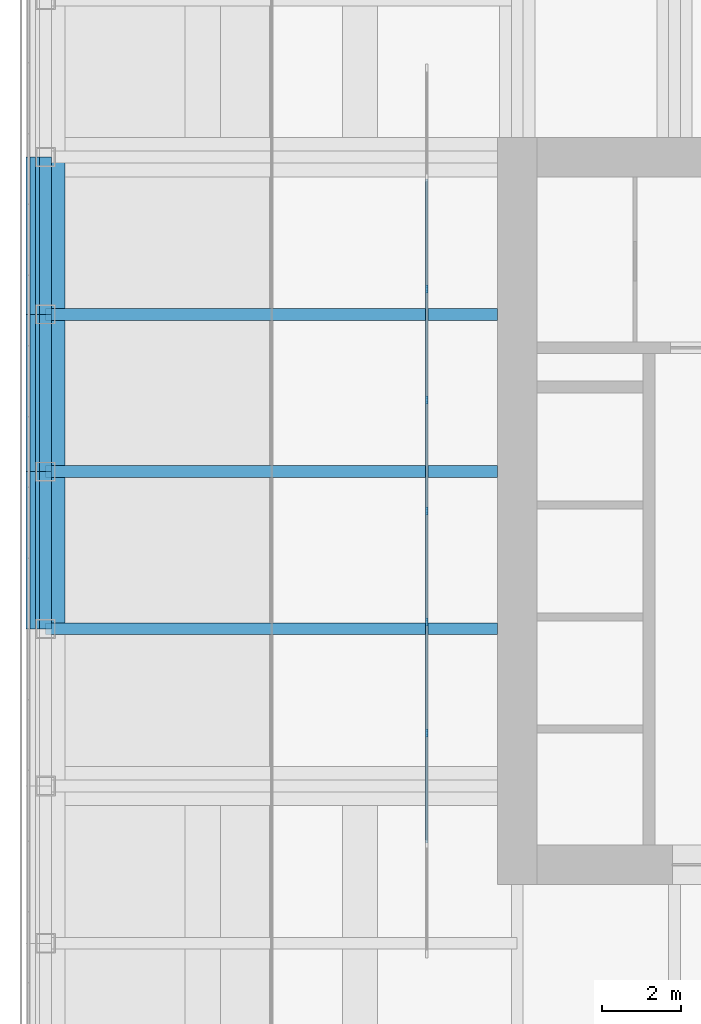
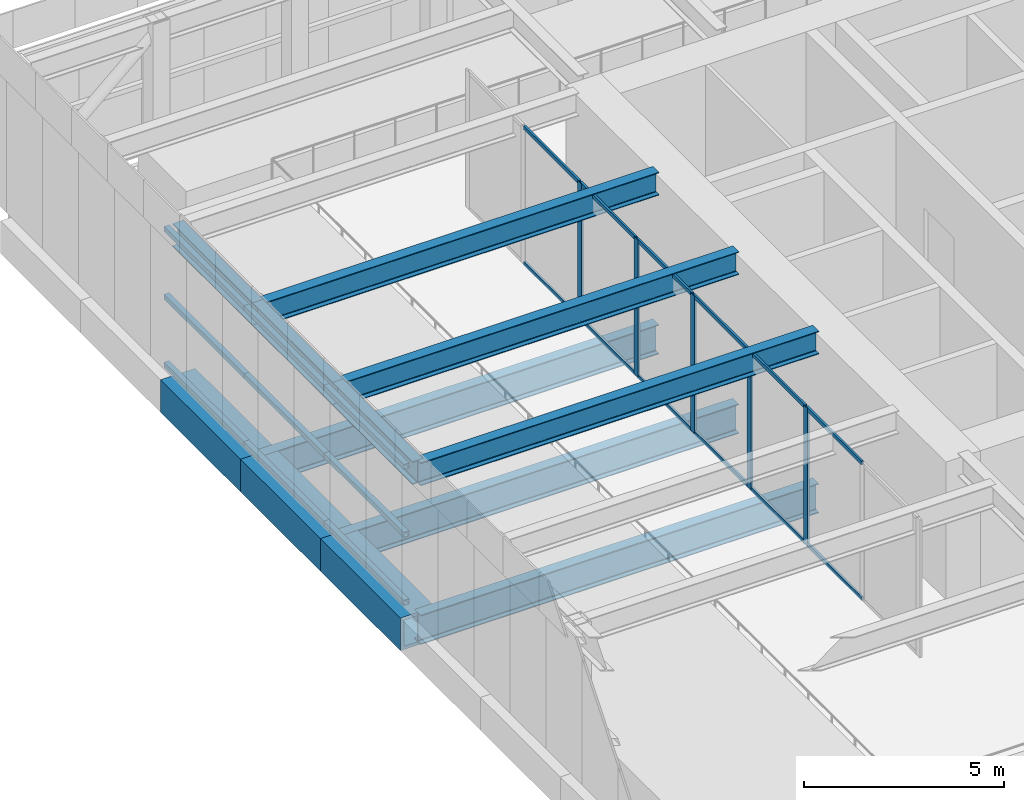
# One storey, part 3 of 11: 26 members, 12 beams, 1 element without a shape of its own.
"""IFC4 building model written with IfcOpenShell, lengths in metres."""

from ifc_helpers import new_model, si_unit, direction, frame, origin, origin_2d, place, context, subcontext, project, spatial, rectangle, hollow_rectangle, i_section, extrude, material, material_profile, profile_set, type_object, element, aggregate, save


model = new_model("IFC4")

# Units and contexts
model_context = context("Model", 3, precision=1e-05, world=origin(), true_north=direction((0.0, 1.0)))
body_context = subcontext(model_context, "Body", "Model", "MODEL_VIEW")
ifc_project = project(units=[si_unit("LENGTHUNIT", "METRE"), si_unit("AREAUNIT", "SQUARE_METRE"), si_unit("VOLUMEUNIT", "CUBIC_METRE"), si_unit("PLANEANGLEUNIT", "RADIAN"), si_unit("MASSUNIT", "GRAM", prefix="KILO")], contexts=[model_context])

# Site, building, storey
site_placement = place(None, origin())
site = spatial("IfcSite", under=ifc_project, at=site_placement, CompositionType="ELEMENT")
building_placement = place(site_placement, origin())
building = spatial("IfcBuilding", under=site, at=building_placement, Name="Rimbunsela Tower", CompositionType="ELEMENT")
storey_placement = place(building_placement, frame((0.0, 0.0, 304.199951171875)))
storey = spatial("IfcBuildingStorey", under=building, at=storey_placement, Name="RF", CompositionType="ELEMENT", Elevation=304.199951171875)

# Beams
ifc_material_1 = material(Name="Steel BJ 55 (fy 410 MPa)", Category="steel")
ifc_material_profile_1 = material_profile(ifc_material_1, hollow_rectangle(XDim=1.0, YDim=1.0, WallThickness=0.10009765625, at=origin_2d()), Name="BOX 1000x1000x100")
ifc_profile_set_1 = profile_set([ifc_material_profile_1], Name="Steel BJ 55 (fy 410 MPa)")
beam_type_1 = type_object("IfcBeamType", Name="Beam BOX 1000x1000x100", PredefinedType="BEAM", material=ifc_profile_set_1)
for number, where, z_axis, x_axis, name in (
    (1, (6.0, 24.0, -0.800048828125), (0.0, 1.0, 0.0), (-1.0, 0.0, 0.0), "Beam B3 RF"),
    (2, (6.0, 28.0, -0.800048828125), (0.0, 1.0, 0.0), (-1.0, 0.0, 0.0), "Beam B3 RF"),
    (3, (6.0, 32.0, -0.800048828125), (0.0, 1.0, 0.0), (-1.0, 0.0, 0.0), "Beam B3 RF"),
):
    element("IfcBeam", number, at=place(storey_placement, frame(where, z_axis=z_axis, x_axis=x_axis)), inside=storey, type_object=beam_type_1, Name=name, PredefinedType="BEAM", context=body_context, shape_type="SweptSolid", body=[
        extrude(hollow_rectangle(XDim=1.0, YDim=1.0, WallThickness=0.10009765625, at=origin_2d()), origin(), (0.0, 0.0, 1.0), 4.0),
    ])
ifc_material_2 = material(Name="Steel BJ 55 (fy 410 MPa)", Category="steel")
ifc_material_profile_2 = material_profile(ifc_material_2, i_section(OverallWidth=0.300048828125, OverallDepth=0.89990234375, WebThickness=0.01611328125, FlangeThickness=0.028076171875, FilletRadius=0.028076171875, at=origin_2d()), Name="H 900x300x16x28")
ifc_profile_set_2 = profile_set([ifc_material_profile_2], Name="Steel BJ 55 (fy 410 MPa)")
beam_type_2 = type_object("IfcBeamType", Name="Beam H 900x300x16x28", PredefinedType="BEAM", material=ifc_profile_set_2)
for number, where, z_axis, x_axis, name in (
    (4, (6.0, 24.0, -0.75), (1.0, 0.0, 0.0), (0.0, 1.0, 0.0), "Beam B2 RF"),
    (5, (6.0, 28.0, -0.75), (1.0, 0.0, 0.0), (0.0, 1.0, 0.0), "Beam B2 RF"),
    (6, (6.0, 32.0, -0.75), (1.0, 0.0, 0.0), (0.0, 1.0, 0.0), "Beam B2 RF"),
):
    element("IfcBeam", number, at=place(storey_placement, frame(where, z_axis=z_axis, x_axis=x_axis)), inside=storey, type_object=beam_type_2, Name=name, PredefinedType="BEAM", context=body_context, shape_type="SweptSolid", body=[
        extrude(i_section(OverallWidth=0.300048828125, OverallDepth=0.89990234375, WebThickness=0.01611328125, FlangeThickness=0.028076171875, FilletRadius=0.028076171875, at=origin_2d()), origin(), (0.0, 0.0, 1.0), 11.5),
    ])
ifc_material_3 = material(Name="Steel BJ 55 (fy 410 MPa)", Category="steel")
ifc_material_profile_3 = material_profile(ifc_material_3, i_section(OverallWidth=0.300048828125, OverallDepth=0.699951171875, WebThickness=0.012939453125, FlangeThickness=0.02392578125, FilletRadius=0.028076171875, at=origin_2d()), Name="H 700x300x13x24")
ifc_profile_set_3 = profile_set([ifc_material_profile_3], Name="Steel BJ 55 (fy 410 MPa)")
beam_type_3 = type_object("IfcBeamType", Name="Crown frame beam H 700x300x13x24", PredefinedType="BEAM", material=ifc_profile_set_3)
for number, where, z_axis, x_axis, name in (
    (7, (6.0, 24.0, 4.0), (0.0, 1.0, 0.0), (-1.0, 0.0, 0.0), "Crown frame edge beam CB1"),
    (8, (6.0, 28.0, 4.0), (0.0, 1.0, 0.0), (-1.0, 0.0, 0.0), "Crown frame edge beam CB1"),
    (9, (6.0, 32.0, 4.0), (0.0, 1.0, 0.0), (-1.0, 0.0, 0.0), "Crown frame edge beam CB1"),
):
    element("IfcBeam", number, at=place(storey_placement, frame(where, z_axis=z_axis, x_axis=x_axis)), inside=storey, type_object=beam_type_3, Name=name, PredefinedType="BEAM", context=body_context, shape_type="SweptSolid", body=[
        extrude(i_section(OverallWidth=0.300048828125, OverallDepth=0.699951171875, WebThickness=0.012939453125, FlangeThickness=0.02392578125, FilletRadius=0.028076171875, at=origin_2d()), origin(), (0.0, 0.0, 1.0), 4.0),
    ])
for number, where, z_axis, x_axis, name in (
    (10, (6.0, 24.0, 4.0), (1.0, 0.0, 0.0), (0.0, 1.0, 0.0), "Crown frame beam CB1"),
    (11, (6.0, 28.0, 4.0), (1.0, 0.0, 0.0), (0.0, 1.0, 0.0), "Crown frame beam CB1"),
    (12, (6.0, 32.0, 4.0), (1.0, 0.0, 0.0), (0.0, 1.0, 0.0), "Crown frame beam CB1"),
):
    element("IfcBeam", number, at=place(storey_placement, frame(where, z_axis=z_axis, x_axis=x_axis)), inside=storey, type_object=beam_type_3, Name=name, PredefinedType="BEAM", context=body_context, shape_type="SweptSolid", body=[
        extrude(i_section(OverallWidth=0.300048828125, OverallDepth=0.699951171875, WebThickness=0.012939453125, FlangeThickness=0.02392578125, FilletRadius=0.028076171875, at=origin_2d()), origin(), (0.0, 0.0, 1.0), 11.5),
    ])

# Members
ifc_material_4 = material(Name="Steel BJ 55 (fy 410 MPa)", Category="steel")
ifc_material_profile_4 = material_profile(ifc_material_4, hollow_rectangle(XDim=0.14990234375, YDim=0.14990234375, WallThickness=0.006103515625, at=origin_2d()), Name="SHS 150x150x6.0")
ifc_profile_set_4 = profile_set([ifc_material_profile_4], Name="Steel BJ 55 (fy 410 MPa)")
member_type_1 = type_object("IfcMemberType", Name="Crown screen rail SHS 150x150x6.0", PredefinedType="MEMBER", material=ifc_profile_set_4)
for number, where, z_axis, x_axis, name in (
    (13, (5.675048828125, 24.0, 0.125), (0.0, 1.0, 0.0), (-1.0, 0.0, 0.0), "Crown screen rail SR1"),
    (14, (5.675048828125, 24.0, 2.199951171875), (0.0, 1.0, 0.0), (-1.0, 0.0, 0.0), "Crown screen rail SR1"),
    (15, (5.675048828125, 24.0, 4.275146484375), (0.0, 1.0, 0.0), (-1.0, 0.0, 0.0), "Crown screen rail SR1"),
    (16, (5.675048828125, 28.0, 0.125), (0.0, 1.0, 0.0), (-1.0, 0.0, 0.0), "Crown screen rail SR1"),
    (17, (5.675048828125, 28.0, 2.199951171875), (0.0, 1.0, 0.0), (-1.0, 0.0, 0.0), "Crown screen rail SR1"),
    (18, (5.675048828125, 28.0, 4.275146484375), (0.0, 1.0, 0.0), (-1.0, 0.0, 0.0), "Crown screen rail SR1"),
    (19, (5.675048828125, 32.0, 0.125), (0.0, 1.0, 0.0), (-1.0, 0.0, 0.0), "Crown screen rail SR1"),
    (20, (5.675048828125, 32.0, 2.199951171875), (0.0, 1.0, 0.0), (-1.0, 0.0, 0.0), "Crown screen rail SR1"),
    (21, (5.675048828125, 32.0, 4.275146484375), (0.0, 1.0, 0.0), (-1.0, 0.0, 0.0), "Crown screen rail SR1"),
):
    element("IfcMember", number, at=place(storey_placement, frame(where, z_axis=z_axis, x_axis=x_axis)), inside=storey, type_object=member_type_1, Name=name, PredefinedType="MEMBER", context=body_context, shape_type="SweptSolid", body=[
        extrude(hollow_rectangle(XDim=0.14990234375, YDim=0.14990234375, WallThickness=0.006103515625, at=origin_2d()), origin(), (0.0, 0.0, 1.0), 4.0),
    ])

# Curtain wall, members
ifc_material_5 = material(Name="Aluminium curtain wall", Category="aluminium")
curtain_wall_type = type_object("IfcCurtainWallType", Name="Crown glazing", PredefinedType="USERDEFINED", material=ifc_material_5)
curtain_wall_placement = place(storey_placement, origin())
curtain_wall = element("IfcCurtainWall", 22, at=curtain_wall_placement, inside=storey, type_object=curtain_wall_type, Name="Crown glazing RF", ObjectType="CROWN GLAZING", PredefinedType="USERDEFINED")
ifc_material_6 = material(Name="Aluminium mullion", Category="aluminium")
ifc_material_profile_5 = material_profile(ifc_material_6, rectangle(XDim=0.06005859375, YDim=0.199951171875, at=origin_2d()), Name="Mullion 60x200")
ifc_profile_set_5 = profile_set([ifc_material_profile_5], Name="Aluminium mullion")
member_type_2 = type_object("IfcMemberType", Name="Curtain wall mullion 60x200", PredefinedType="MULLION", material=ifc_profile_set_5)
member_1_placement = place(storey_placement, frame((15.699951171875, 32.64990234375, 0.0), z_axis=(0.0, 0.0, 1.0), x_axis=(1.0, 0.0, 0.0)))
member_1 = element("IfcMember", 23, at=member_1_placement, type_object=member_type_2, Name="CW6 mullion 3", PredefinedType="MULLION", context=body_context, shape_type="SweptSolid", body=[
    extrude(rectangle(XDim=0.06005859375, YDim=0.199951171875, at=origin_2d()), origin(), (0.0, 0.0, 1.0), 4.199951171875),
])
member_2_placement = place(storey_placement, frame((15.699951171875, 29.824951171875, 0.0), z_axis=(0.0, 0.0, 1.0), x_axis=(1.0, 0.0, 0.0)))
member_2 = element("IfcMember", 24, at=member_2_placement, type_object=member_type_2, Name="CW6 mullion 4", PredefinedType="MULLION", context=body_context, shape_type="SweptSolid", body=[
    extrude(rectangle(XDim=0.06005859375, YDim=0.199951171875, at=origin_2d()), origin(), (0.0, 0.0, 1.0), 4.199951171875),
])
member_3_placement = place(storey_placement, frame((15.699951171875, 27.0, 0.0), z_axis=(0.0, 0.0, 1.0), x_axis=(1.0, 0.0, 0.0)))
member_3 = element("IfcMember", 25, at=member_3_placement, type_object=member_type_2, Name="CW6 mullion 5", PredefinedType="MULLION", context=body_context, shape_type="SweptSolid", body=[
    extrude(rectangle(XDim=0.06005859375, YDim=0.199951171875, at=origin_2d()), origin(), (0.0, 0.0, 1.0), 4.199951171875),
])
member_4_placement = place(storey_placement, frame((15.699951171875, 24.175048828125, 0.0), z_axis=(0.0, 0.0, 1.0), x_axis=(1.0, 0.0, 0.0)))
member_4 = element("IfcMember", 26, at=member_4_placement, type_object=member_type_2, Name="CW6 mullion 6", PredefinedType="MULLION", context=body_context, shape_type="SweptSolid", body=[
    extrude(rectangle(XDim=0.06005859375, YDim=0.199951171875, at=origin_2d()), origin(), (0.0, 0.0, 1.0), 4.199951171875),
])
member_5_placement = place(storey_placement, frame((15.699951171875, 21.35009765625, 0.0), z_axis=(0.0, 0.0, 1.0), x_axis=(1.0, 0.0, 0.0)))
member_5 = element("IfcMember", 27, at=member_5_placement, type_object=member_type_2, Name="CW6 mullion 7", PredefinedType="MULLION", context=body_context, shape_type="SweptSolid", body=[
    extrude(rectangle(XDim=0.06005859375, YDim=0.199951171875, at=origin_2d()), origin(), (0.0, 0.0, 1.0), 4.199951171875),
])
ifc_material_7 = material(Name="Aluminium transom", Category="aluminium")
ifc_material_profile_6 = material_profile(ifc_material_7, rectangle(XDim=0.06005859375, YDim=0.1201171875, at=origin_2d()), Name="Transom 60x120")
ifc_profile_set_6 = profile_set([ifc_material_profile_6], Name="Aluminium transom")
member_type_3 = type_object("IfcMemberType", Name="Curtain wall transom 60x120", PredefinedType="USERDEFINED", material=ifc_profile_set_6)
member_6_placement = place(storey_placement, frame((15.699951171875, 35.445068359375, 0.030029296875), z_axis=(0.0, -1.0, 0.0), x_axis=(1.0, 0.0, 0.0)))
member_6 = element("IfcMember", 28, at=member_6_placement, type_object=member_type_3, Name="CW6 transom 2.1", ObjectType="TRANSOM", PredefinedType="USERDEFINED", context=body_context, shape_type="SweptSolid", body=[
    extrude(rectangle(XDim=0.06005859375, YDim=0.1201171875, at=origin_2d()), origin(), (0.0, 0.0, 1.0), 2.76513671875),
])
member_7_placement = place(storey_placement, frame((15.699951171875, 35.445068359375, 4.170166015625), z_axis=(0.0, -1.0, 0.0), x_axis=(1.0, 0.0, 0.0)))
member_7 = element("IfcMember", 29, at=member_7_placement, type_object=member_type_3, Name="CW6 transom 2.2", ObjectType="TRANSOM", PredefinedType="USERDEFINED", context=body_context, shape_type="SweptSolid", body=[
    extrude(rectangle(XDim=0.06005859375, YDim=0.1201171875, at=origin_2d()), origin(), (0.0, 0.0, 1.0), 2.76513671875),
])
member_8_placement = place(storey_placement, frame((15.699951171875, 32.6201171875, 0.030029296875), z_axis=(0.0, -1.0, 0.0), x_axis=(1.0, 0.0, 0.0)))
member_8 = element("IfcMember", 30, at=member_8_placement, type_object=member_type_3, Name="CW6 transom 3.1", ObjectType="TRANSOM", PredefinedType="USERDEFINED", context=body_context, shape_type="SweptSolid", body=[
    extrude(rectangle(XDim=0.06005859375, YDim=0.1201171875, at=origin_2d()), origin(), (0.0, 0.0, 1.0), 2.76513671875),
])
member_9_placement = place(storey_placement, frame((15.699951171875, 32.6201171875, 4.170166015625), z_axis=(0.0, -1.0, 0.0), x_axis=(1.0, 0.0, 0.0)))
member_9 = element("IfcMember", 31, at=member_9_placement, type_object=member_type_3, Name="CW6 transom 3.2", ObjectType="TRANSOM", PredefinedType="USERDEFINED", context=body_context, shape_type="SweptSolid", body=[
    extrude(rectangle(XDim=0.06005859375, YDim=0.1201171875, at=origin_2d()), origin(), (0.0, 0.0, 1.0), 2.76513671875),
])
member_10_placement = place(storey_placement, frame((15.699951171875, 29.794921875, 0.030029296875), z_axis=(0.0, -1.0, 0.0), x_axis=(1.0, 0.0, 0.0)))
member_10 = element("IfcMember", 32, at=member_10_placement, type_object=member_type_3, Name="CW6 transom 4.1", ObjectType="TRANSOM", PredefinedType="USERDEFINED", context=body_context, shape_type="SweptSolid", body=[
    extrude(rectangle(XDim=0.06005859375, YDim=0.1201171875, at=origin_2d()), origin(), (0.0, 0.0, 1.0), 2.764892578125),
])
member_11_placement = place(storey_placement, frame((15.699951171875, 29.794921875, 4.170166015625), z_axis=(0.0, -1.0, 0.0), x_axis=(1.0, 0.0, 0.0)))
member_11 = element("IfcMember", 33, at=member_11_placement, type_object=member_type_3, Name="CW6 transom 4.2", ObjectType="TRANSOM", PredefinedType="USERDEFINED", context=body_context, shape_type="SweptSolid", body=[
    extrude(rectangle(XDim=0.06005859375, YDim=0.1201171875, at=origin_2d()), origin(), (0.0, 0.0, 1.0), 2.764892578125),
])
member_12_placement = place(storey_placement, frame((15.699951171875, 26.969970703125, 0.030029296875), z_axis=(0.0, -1.0, 0.0), x_axis=(1.0, 0.0, 0.0)))
member_12 = element("IfcMember", 34, at=member_12_placement, type_object=member_type_3, Name="CW6 transom 5.1", ObjectType="TRANSOM", PredefinedType="USERDEFINED", context=body_context, shape_type="SweptSolid", body=[
    extrude(rectangle(XDim=0.06005859375, YDim=0.1201171875, at=origin_2d()), origin(), (0.0, 0.0, 1.0), 2.764892578125),
])
member_13_placement = place(storey_placement, frame((15.699951171875, 26.969970703125, 4.170166015625), z_axis=(0.0, -1.0, 0.0), x_axis=(1.0, 0.0, 0.0)))
member_13 = element("IfcMember", 35, at=member_13_placement, type_object=member_type_3, Name="CW6 transom 5.2", ObjectType="TRANSOM", PredefinedType="USERDEFINED", context=body_context, shape_type="SweptSolid", body=[
    extrude(rectangle(XDim=0.06005859375, YDim=0.1201171875, at=origin_2d()), origin(), (0.0, 0.0, 1.0), 2.764892578125),
])
member_14_placement = place(storey_placement, frame((15.699951171875, 24.14501953125, 0.030029296875), z_axis=(0.0, -1.0, 0.0), x_axis=(1.0, 0.0, 0.0)))
member_14 = element("IfcMember", 36, at=member_14_placement, type_object=member_type_3, Name="CW6 transom 6.1", ObjectType="TRANSOM", PredefinedType="USERDEFINED", context=body_context, shape_type="SweptSolid", body=[
    extrude(rectangle(XDim=0.06005859375, YDim=0.1201171875, at=origin_2d()), origin(), (0.0, 0.0, 1.0), 2.76513671875),
])
member_15_placement = place(storey_placement, frame((15.699951171875, 24.14501953125, 4.170166015625), z_axis=(0.0, -1.0, 0.0), x_axis=(1.0, 0.0, 0.0)))
member_15 = element("IfcMember", 37, at=member_15_placement, type_object=member_type_3, Name="CW6 transom 6.2", ObjectType="TRANSOM", PredefinedType="USERDEFINED", context=body_context, shape_type="SweptSolid", body=[
    extrude(rectangle(XDim=0.06005859375, YDim=0.1201171875, at=origin_2d()), origin(), (0.0, 0.0, 1.0), 2.76513671875),
])
member_16_placement = place(storey_placement, frame((15.699951171875, 21.320068359375, 0.030029296875), z_axis=(0.0, -1.0, 0.0), x_axis=(1.0, 0.0, 0.0)))
member_16 = element("IfcMember", 38, at=member_16_placement, type_object=member_type_3, Name="CW6 transom 7.1", ObjectType="TRANSOM", PredefinedType="USERDEFINED", context=body_context, shape_type="SweptSolid", body=[
    extrude(rectangle(XDim=0.06005859375, YDim=0.1201171875, at=origin_2d()), origin(), (0.0, 0.0, 1.0), 2.76513671875),
])
member_17_placement = place(storey_placement, frame((15.699951171875, 21.320068359375, 4.170166015625), z_axis=(0.0, -1.0, 0.0), x_axis=(1.0, 0.0, 0.0)))
member_17 = element("IfcMember", 39, at=member_17_placement, type_object=member_type_3, Name="CW6 transom 7.2", ObjectType="TRANSOM", PredefinedType="USERDEFINED", context=body_context, shape_type="SweptSolid", body=[
    extrude(rectangle(XDim=0.06005859375, YDim=0.1201171875, at=origin_2d()), origin(), (0.0, 0.0, 1.0), 2.76513671875),
])
aggregate(curtain_wall, [member_1, member_2, member_3, member_4, member_5, member_6, member_7, member_8, member_9, member_10, member_11, member_12, member_13, member_14, member_15, member_16, member_17])

save(model, "model.ifc")
